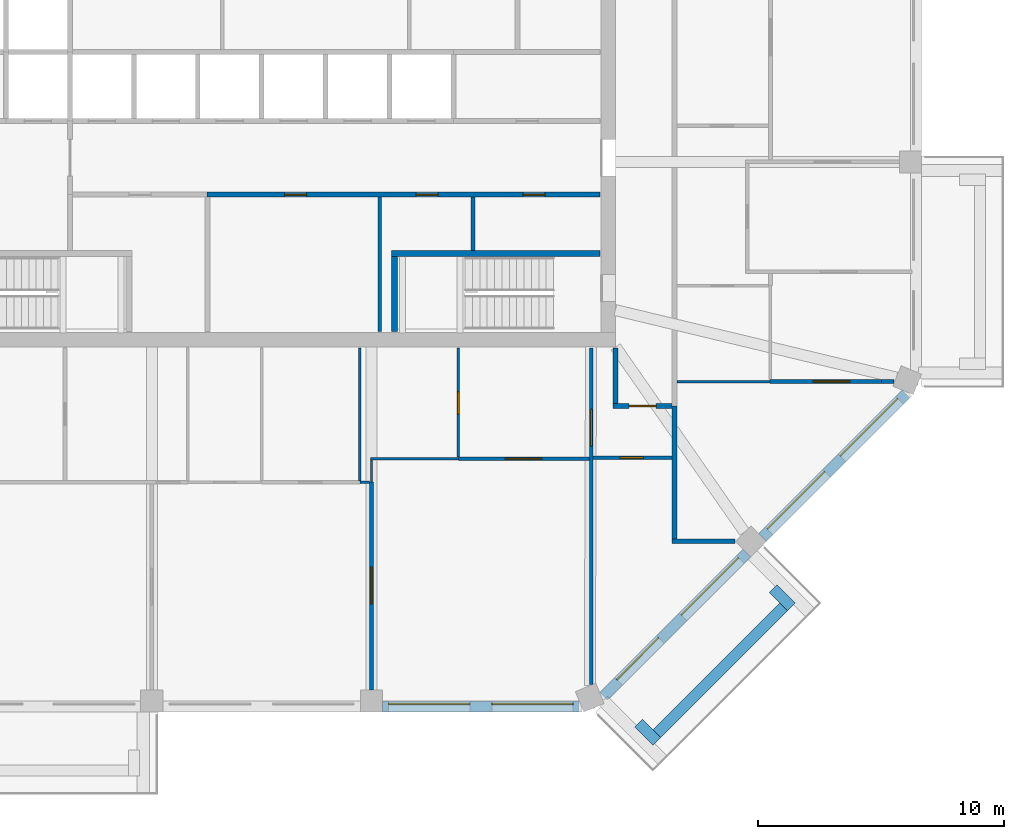
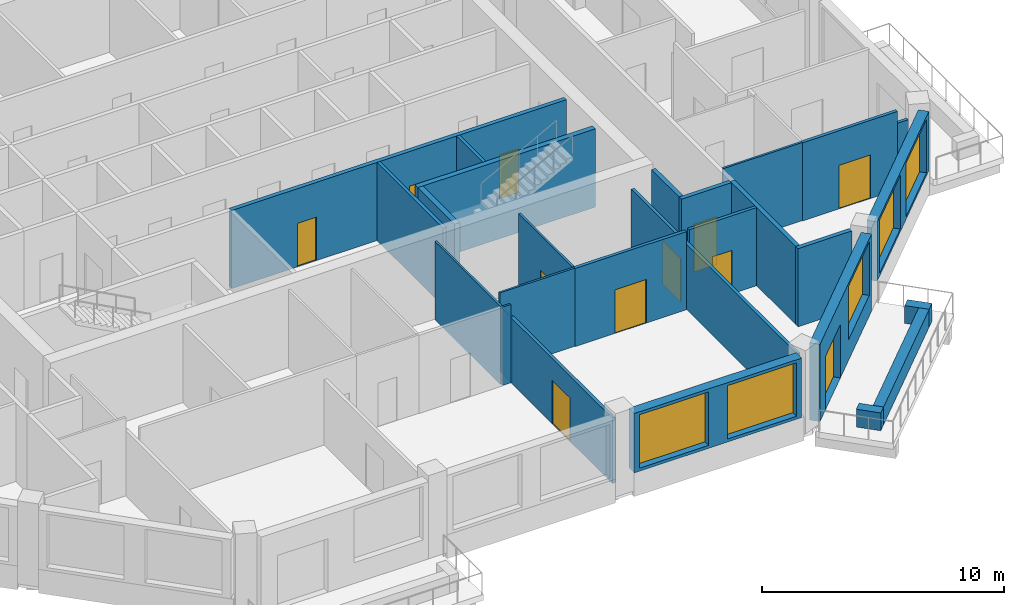
# One storey, part 5 of 11: 27 walls, 11 doors, 5 windows, 16 openings.
"""IFC4 building model written with IfcOpenShell, lengths in metres."""

from ifc_helpers import new_model, si_unit, direction, frame, frame_2d, origin, place, context, subcontext, project, spatial, rectangle, extrude, material, layer, layer_set, type_object, element, fill, save


model = new_model("IFC4")

# Units and contexts
model_context = context("Model", 3, precision=1e-05, world=origin(), true_north=direction((0.0, 1.0)))
body_context = subcontext(model_context, "Body", "Model", "MODEL_VIEW")
ifc_project = project(units=[si_unit("LENGTHUNIT", "METRE"), si_unit("AREAUNIT", "SQUARE_METRE"), si_unit("VOLUMEUNIT", "CUBIC_METRE"), si_unit("PLANEANGLEUNIT", "RADIAN"), si_unit("MASSUNIT", "GRAM", prefix="KILO")], contexts=[model_context])

# Site, building, storey
site_placement = place(None, origin())
site = spatial("IfcSite", under=ifc_project, at=site_placement, CompositionType="ELEMENT")
building_placement = place(site_placement, origin())
building = spatial("IfcBuilding", under=site, at=building_placement, Name="Msitu Wima Residences", CompositionType="ELEMENT")
storey_placement = place(building_placement, frame((0.0, 0.0, 297.89990234375)))
storey = spatial("IfcBuildingStorey", under=building, at=storey_placement, Name="L69", CompositionType="ELEMENT", Elevation=297.89990234375)

# Walls
ifc_material_1 = material(Name="Facing brick")
ifc_layer_1 = layer(ifc_material_1, 0.06494140625, Name="Facing brick")
ifc_material_2 = material(Name="Concrete C40/50", Category="concrete")
ifc_layer_2 = layer(ifc_material_2, 0.156005859375, Name="Concrete C40/50")
ifc_material_3 = material(Name="Waterproofing membrane")
ifc_layer_3 = layer(ifc_material_3, 0.00390625, Name="Waterproofing membrane")
ifc_material_4 = material(Name="Planting soil and planting")
ifc_layer_4 = layer(ifc_material_4, 0.22509765625, Name="Planting soil and planting")
ifc_layer_set_1 = layer_set([ifc_layer_1, ifc_layer_2, ifc_layer_3, ifc_layer_4], Name="Concrete C40/50")
wall_type_1 = type_object("IfcWallType", Name="Balcony planter PLANTER PL450", PredefinedType="USERDEFINED", material=ifc_layer_set_1)
wall_1_placement = place(storey_placement, frame((16.0751953125, -27.725830078125, 0.0), z_axis=(0.0, 0.0, 1.0), x_axis=(0.707106781187, 0.707106781187, 0.0)))
element("IfcWall", 1, at=wall_1_placement, inside=storey, type_object=wall_type_1, Name="Balcony planter SE0 L69", ObjectType="PLANTER", PredefinedType="USERDEFINED", context=body_context, shape_type="SweptSolid", body=[
    extrude(rectangle(XDim=7.288330078125, YDim=0.449951171875, at=frame_2d((3.64404296875, 0.0))), origin(), (0.0, 0.0, 1.0), 0.900146484375),
])
for number, where, z_axis, x_axis, name in (
    (2, (15.332763671875, -27.301513671875, 0.0), (0.0, 0.0, 1.0), (0.707106781187, -0.707106781187, 0.0), "Balcony planter SE0 L69"),
    (3, (20.804443359375, -21.829833984375, 0.0), (0.0, 0.0, 1.0), (0.707106781187, -0.707106781187, 0.0), "Balcony planter SE0 L69"),
):
    element("IfcWall", number, at=place(storey_placement, frame(where, z_axis=z_axis, x_axis=x_axis)), inside=storey, type_object=wall_type_1, Name=name, ObjectType="PLANTER", PredefinedType="USERDEFINED", context=body_context, shape_type="SweptSolid", body=[
        extrude(rectangle(XDim=1.050048828125, YDim=0.449951171875, at=frame_2d((0.52490234375, 0.0))), origin(), (0.0, 0.0, 1.0), 0.900146484375),
    ])

# Wall, openings, windows
ifc_material_5 = material(Name="Brick (red buff mix)", Category="masonry")
ifc_layer_5 = layer(ifc_material_5, 0.449951171875)
ifc_layer_set_2 = layer_set([ifc_layer_5], Name="Brick (red buff mix)")
wall_type_2 = type_object("IfcWallType", Name="Brick infill wall BW450", PredefinedType="SOLIDWALL", material=ifc_layer_set_2)
wall_2_placement = place(storey_placement, frame((4.918701171875, -26.625, 0.900146484375), z_axis=(0.0, 0.0, 1.0), x_axis=(1.0, 0.0, 0.0)))
wall_2 = element("IfcWall", 4, at=wall_2_placement, inside=storey, type_object=wall_type_2, Name="Brick infill wall L69 S2", PredefinedType="SOLIDWALL", context=body_context, shape_type="SweptSolid", body=[
    extrude(rectangle(XDim=8.0, YDim=0.449951171875, at=frame_2d((4.0, 0.0))), origin(), (0.0, 0.0, 1.0), 3.0),
])
opening_1_placement = place(wall_2_placement, frame((0.25, 0.0, 0.14990234375)))
opening_1 = element("IfcOpeningElement", 5, at=opening_1_placement, cuts=wall_2, Name="Opening W68-70.020", PredefinedType="OPENING", context=body_context, shape_type="SweptSolid", body=[
    extrude(rectangle(XDim=3.300048828125, YDim=2.699951171875, at=frame_2d((1.64990234375, 1.35009765625))), frame((0.0, 0.23486328125, 0.0), z_axis=(0.0, -1.0, 0.0), x_axis=(1.0, 0.0, 0.0)), (0.0, 0.0, 1.0), 0.469970703125),
])
opening_2_placement = place(wall_2_placement, frame((4.4501953125, 0.0, 0.14990234375)))
opening_2 = element("IfcOpeningElement", 6, at=opening_2_placement, cuts=wall_2, Name="Opening W68-70.021", PredefinedType="OPENING", context=body_context, shape_type="SweptSolid", body=[
    extrude(rectangle(XDim=3.300048828125, YDim=2.699951171875, at=frame_2d((1.64990234375, 1.35009765625))), frame((0.0, 0.23486328125, 0.0), z_axis=(0.0, -1.0, 0.0), x_axis=(1.0, 0.0, 0.0)), (0.0, 0.0, 1.0), 0.469970703125),
])
ifc_material_6 = material(Name="Anodised aluminium, bronze finish, clear low-emissivity double glazing", Category="aluminium")
window_type = type_object("IfcWindowType", Name="Window W3300x2700", PartitioningType="DOUBLE_PANEL_VERTICAL", PredefinedType="WINDOW", material=ifc_material_6)
window_1_placement = place(opening_1_placement, origin())
window_1 = element("IfcWindow", 7, at=window_1_placement, inside=storey, type_object=window_type, Name="Window L69 S2.1", OverallHeight=2.699951171875, OverallWidth=3.300048828125, PartitioningType="SINGLE_PANEL", PredefinedType="WINDOW", context=body_context, shape_type="SweptSolid", body=[
    extrude(rectangle(XDim=3.300048828125, YDim=2.699951171875, at=frame_2d((1.64990234375, 1.35009765625))), frame((0.0, 0.135009765625, 0.0), z_axis=(0.0, -1.0, 0.0), x_axis=(1.0, 0.0, 0.0)), (0.0, 0.0, 1.0), 0.06005859375),
])
fill(opening_1, window_1)
window_2_placement = place(opening_2_placement, origin())
window_2 = element("IfcWindow", 8, at=window_2_placement, inside=storey, type_object=window_type, Name="Window L69 S2.2", OverallHeight=2.699951171875, OverallWidth=3.300048828125, PartitioningType="SINGLE_PANEL", PredefinedType="WINDOW", context=body_context, shape_type="SweptSolid", body=[
    extrude(rectangle(XDim=3.300048828125, YDim=2.699951171875, at=frame_2d((1.64990234375, 1.35009765625))), frame((0.0, 0.135009765625, 0.0), z_axis=(0.0, -1.0, 0.0), x_axis=(1.0, 0.0, 0.0)), (0.0, 0.0, 1.0), 0.06005859375),
])
fill(opening_2, window_2)

# Wall, openings, door, window
wall_3_placement = place(storey_placement, frame((13.909423828125, -26.214599609375, 0.0), z_axis=(0.0, 0.0, 1.0), x_axis=(0.707106781187, 0.707106781187, 0.0)))
wall_3 = element("IfcWall", 9, at=wall_3_placement, inside=storey, type_object=wall_type_2, Name="Brick infill wall L69 SE0", PredefinedType="SOLIDWALL", context=body_context, shape_type="SweptSolid", body=[
    extrude(rectangle(XDim=8.251220703125, YDim=0.449951171875, at=frame_2d((4.12548828125, 0.0))), origin(), (0.0, 0.0, 1.0), 3.900146484375),
])
opening_3_placement = place(wall_3_placement, frame((0.86279296875, 0.0, 0.0)))
opening_3 = element("IfcOpeningElement", 10, at=opening_3_placement, cuts=wall_3, Name="Opening D68-70.006", PredefinedType="OPENING", context=body_context, shape_type="SweptSolid", body=[
    extrude(rectangle(XDim=2.39990234375, YDim=2.699951171875, at=frame_2d((1.199951171875, 1.35009765625))), frame((0.0, 0.23486328125, 0.0), z_axis=(0.0, -1.0, 0.0), x_axis=(1.0, 0.0, 0.0)), (0.0, 0.0, 1.0), 0.469970703125),
])
opening_4_placement = place(wall_3_placement, frame((4.57568359375, 0.0, 1.050048828125)))
opening_4 = element("IfcOpeningElement", 11, at=opening_4_placement, cuts=wall_3, Name="Opening W68-70.022", PredefinedType="OPENING", context=body_context, shape_type="SweptSolid", body=[
    extrude(rectangle(XDim=3.300048828125, YDim=2.699951171875, at=frame_2d((1.64990234375, 1.35009765625))), frame((0.0, 0.23486328125, 0.0), z_axis=(0.0, -1.0, 0.0), x_axis=(1.0, 0.0, 0.0)), (0.0, 0.0, 1.0), 0.469970703125),
])
door_type_1 = type_object("IfcDoorType", Name="Balcony door D2400x2700", OperationType="SLIDING_TO_LEFT", PredefinedType="DOOR", material=ifc_material_6)
door_1_placement = place(opening_3_placement, origin())
door_1 = element("IfcDoor", 12, at=door_1_placement, inside=storey, type_object=door_type_1, Name="Balcony door L69 SE0", OperationType="SINGLE_SWING_LEFT", OverallHeight=2.699951171875, OverallWidth=2.39990234375, PredefinedType="DOOR", context=body_context, shape_type="SweptSolid", body=[
    extrude(rectangle(XDim=2.39990234375, YDim=2.699951171875, at=frame_2d((1.199951171875, 1.35009765625))), frame((0.0, 0.1298828125, 0.0), z_axis=(0.0, -1.0, 0.0), x_axis=(1.0, 0.0, 0.0)), (0.0, 0.0, 1.0), 0.050048828125),
])
fill(opening_3, door_1)
window_3_placement = place(opening_4_placement, origin())
window_3 = element("IfcWindow", 13, at=window_3_placement, inside=storey, type_object=window_type, Name="Window L69 SE0.2", OverallHeight=2.699951171875, OverallWidth=3.300048828125, PartitioningType="SINGLE_PANEL", PredefinedType="WINDOW", context=body_context, shape_type="SweptSolid", body=[
    extrude(rectangle(XDim=3.300048828125, YDim=2.699951171875, at=frame_2d((1.64990234375, 1.35009765625))), frame((0.0, 0.135009765625, 0.0), z_axis=(0.0, -1.0, 0.0), x_axis=(1.0, 0.0, 0.0)), (0.0, 0.0, 1.0), 0.06005859375),
])
fill(opening_4, window_3)

# Wall, openings, windows
wall_4_placement = place(storey_placement, frame((20.380126953125, -19.743896484375, 0.900146484375), z_axis=(0.0, 0.0, 1.0), x_axis=(0.707106781187, 0.707106781187, 0.0)))
wall_4 = element("IfcWall", 14, at=wall_4_placement, inside=storey, type_object=wall_type_2, Name="Brick infill wall L69 SE1", PredefinedType="SOLIDWALL", context=body_context, shape_type="SweptSolid", body=[
    extrude(rectangle(XDim=8.251220703125, YDim=0.449951171875, at=frame_2d((4.12548828125, 0.0))), origin(), (0.0, 0.0, 1.0), 3.0),
])
opening_5_placement = place(wall_4_placement, frame((0.37548828125, 0.0, 0.14990234375)))
opening_5 = element("IfcOpeningElement", 15, at=opening_5_placement, cuts=wall_4, Name="Opening W68-70.023", PredefinedType="OPENING", context=body_context, shape_type="SweptSolid", body=[
    extrude(rectangle(XDim=3.300048828125, YDim=2.699951171875, at=frame_2d((1.64990234375, 1.35009765625))), frame((0.0, 0.23486328125, 0.0), z_axis=(0.0, -1.0, 0.0), x_axis=(1.0, 0.0, 0.0)), (0.0, 0.0, 1.0), 0.469970703125),
])
opening_6_placement = place(wall_4_placement, frame((4.57568359375, 0.0, 0.14990234375)))
opening_6 = element("IfcOpeningElement", 16, at=opening_6_placement, cuts=wall_4, Name="Opening W68-70.024", PredefinedType="OPENING", context=body_context, shape_type="SweptSolid", body=[
    extrude(rectangle(XDim=3.300048828125, YDim=2.699951171875, at=frame_2d((1.64990234375, 1.35009765625))), frame((0.0, 0.23486328125, 0.0), z_axis=(0.0, -1.0, 0.0), x_axis=(1.0, 0.0, 0.0)), (0.0, 0.0, 1.0), 0.469970703125),
])
window_4_placement = place(opening_5_placement, origin())
window_4 = element("IfcWindow", 17, at=window_4_placement, inside=storey, type_object=window_type, Name="Window L69 SE1.1", OverallHeight=2.699951171875, OverallWidth=3.300048828125, PartitioningType="SINGLE_PANEL", PredefinedType="WINDOW", context=body_context, shape_type="SweptSolid", body=[
    extrude(rectangle(XDim=3.300048828125, YDim=2.699951171875, at=frame_2d((1.64990234375, 1.35009765625))), frame((0.0, 0.135009765625, 0.0), z_axis=(0.0, -1.0, 0.0), x_axis=(1.0, 0.0, 0.0)), (0.0, 0.0, 1.0), 0.06005859375),
])
fill(opening_5, window_4)
window_5_placement = place(opening_6_placement, origin())
window_5 = element("IfcWindow", 18, at=window_5_placement, inside=storey, type_object=window_type, Name="Window L69 SE1.2", OverallHeight=2.699951171875, OverallWidth=3.300048828125, PartitioningType="SINGLE_PANEL", PredefinedType="WINDOW", context=body_context, shape_type="SweptSolid", body=[
    extrude(rectangle(XDim=3.300048828125, YDim=2.699951171875, at=frame_2d((1.64990234375, 1.35009765625))), frame((0.0, 0.135009765625, 0.0), z_axis=(0.0, -1.0, 0.0), x_axis=(1.0, 0.0, 0.0)), (0.0, 0.0, 1.0), 0.06005859375),
])
fill(opening_6, window_5)

# Wall, openings, doors
ifc_material_7 = material(Name="Plaster")
ifc_layer_6 = layer(ifc_material_7, 0.011962890625, Name="Plaster")
ifc_material_8 = material(Name="Concrete blockwork", Category="masonry")
ifc_layer_7 = layer(ifc_material_8, 0.176025390625, Name="Concrete blockwork")
ifc_layer_8 = layer(ifc_material_7, 0.011962890625, Name="Plaster")
ifc_layer_set_3 = layer_set([ifc_layer_6, ifc_layer_7, ifc_layer_8], Name="Concrete blockwork")
wall_type_3 = type_object("IfcWallType", Name="Corridor wall FW200", PredefinedType="PARTITIONING", material=ifc_layer_set_3)
wall_5_placement = place(storey_placement, frame((-2.219970703125, -5.800048828125, 0.0), z_axis=(0.0, 0.0, 1.0), x_axis=(1.0, 0.0, 0.0)))
wall_5 = element("IfcWall", 19, at=wall_5_placement, inside=storey, type_object=wall_type_3, Name="Corridor wall", PredefinedType="PARTITIONING", context=body_context, shape_type="SweptSolid", body=[
    extrude(rectangle(XDim=15.989990234375, YDim=0.199951171875, at=frame_2d((7.9951171875, 0.0))), origin(), (0.0, 0.0, 1.0), 3.9501953125),
])
opening_7_placement = place(wall_5_placement, frame((3.14990234375, 0.0, 0.0)))
opening_7 = element("IfcOpeningElement", 20, at=opening_7_placement, cuts=wall_5, Name="Opening D68-70.068", PredefinedType="OPENING", context=body_context, shape_type="SweptSolid", body=[
    extrude(rectangle(XDim=0.89990234375, YDim=2.199951171875, at=frame_2d((0.449951171875, 1.10009765625))), frame((0.0, 0.10986328125, 0.0), z_axis=(0.0, -1.0, 0.0), x_axis=(1.0, 0.0, 0.0)), (0.0, 0.0, 1.0), 0.219970703125),
])
opening_8_placement = place(wall_5_placement, frame((8.5, 0.0, 0.0)))
opening_8 = element("IfcOpeningElement", 21, at=opening_8_placement, cuts=wall_5, Name="Opening D68-70.069", PredefinedType="OPENING", context=body_context, shape_type="SweptSolid", body=[
    extrude(rectangle(XDim=0.89990234375, YDim=2.199951171875, at=frame_2d((0.449951171875, 1.10009765625))), frame((0.0, 0.10986328125, 0.0), z_axis=(0.0, -1.0, 0.0), x_axis=(1.0, 0.0, 0.0)), (0.0, 0.0, 1.0), 0.219970703125),
])
opening_9_placement = place(wall_5_placement, frame((12.85009765625, 0.0, 0.0)))
opening_9 = element("IfcOpeningElement", 22, at=opening_9_placement, cuts=wall_5, Name="Opening D68-70.070", PredefinedType="OPENING", context=body_context, shape_type="SweptSolid", body=[
    extrude(rectangle(XDim=0.89990234375, YDim=2.199951171875, at=frame_2d((0.449951171875, 1.10009765625))), frame((0.0, 0.10986328125, 0.0), z_axis=(0.0, -1.0, 0.0), x_axis=(1.0, 0.0, 0.0)), (0.0, 0.0, 1.0), 0.219970703125),
])
ifc_material_9 = material(Name="Timber flush door", Category="wood")
door_type_2 = type_object("IfcDoorType", Name="Service door D05 900x2200", OperationType="SINGLE_SWING_LEFT", PredefinedType="DOOR", material=ifc_material_9)
door_2_placement = place(opening_7_placement, origin())
door_2 = element("IfcDoor", 23, at=door_2_placement, inside=storey, type_object=door_type_2, Name="Service door", OperationType="SINGLE_SWING_LEFT", OverallHeight=2.199951171875, OverallWidth=0.89990234375, PredefinedType="DOOR", context=body_context, shape_type="SweptSolid", body=[
    extrude(rectangle(XDim=0.89990234375, YDim=2.199951171875, at=frame_2d((0.449951171875, 1.10009765625))), frame((0.0, 0.02490234375, 0.0), z_axis=(0.0, -1.0, 0.0), x_axis=(1.0, 0.0, 0.0)), (0.0, 0.0, 1.0), 0.050048828125),
])
fill(opening_7, door_2)
door_3_placement = place(opening_8_placement, origin())
door_3 = element("IfcDoor", 24, at=door_3_placement, inside=storey, type_object=door_type_2, Name="Service door", OperationType="SINGLE_SWING_LEFT", OverallHeight=2.199951171875, OverallWidth=0.89990234375, PredefinedType="DOOR", context=body_context, shape_type="SweptSolid", body=[
    extrude(rectangle(XDim=0.89990234375, YDim=2.199951171875, at=frame_2d((0.449951171875, 1.10009765625))), frame((0.0, 0.02490234375, 0.0), z_axis=(0.0, -1.0, 0.0), x_axis=(1.0, 0.0, 0.0)), (0.0, 0.0, 1.0), 0.050048828125),
])
fill(opening_8, door_3)
door_4_placement = place(opening_9_placement, origin())
door_4 = element("IfcDoor", 25, at=door_4_placement, inside=storey, type_object=door_type_2, Name="Service door", OperationType="SINGLE_SWING_RIGHT", OverallHeight=2.199951171875, OverallWidth=0.89990234375, PredefinedType="DOOR", context=body_context, shape_type="SweptSolid", body=[
    extrude(rectangle(XDim=0.89990234375, YDim=2.199951171875, at=frame_2d((0.449951171875, 1.10009765625))), frame((0.0, 0.02490234375, 0.0), z_axis=(0.0, -1.0, 0.0), x_axis=(1.0, 0.0, 0.0)), (0.0, 0.0, 1.0), 0.050048828125),
])
fill(opening_9, door_4)

# Wall
wall_6_placement = place(storey_placement, frame((14.39990234375, -14.300048828125, 0.0), z_axis=(0.0, 0.0, 1.0), x_axis=(0.0, 1.0, 0.0)))
element("IfcWall", 26, at=wall_6_placement, inside=storey, type_object=wall_type_3, Name="Corridor wall", PredefinedType="PARTITIONING", context=body_context, shape_type="SweptSolid", body=[
    extrude(rectangle(XDim=2.27001953125, YDim=0.199951171875, at=frame_2d((1.135009765625, 0.0))), origin(), (0.0, 0.0, 1.0), 3.9501953125),
])

# Wall, opening, door
wall_7_placement = place(storey_placement, frame((14.300048828125, -14.39990234375, 0.0), z_axis=(0.0, 0.0, 1.0), x_axis=(1.0, 0.0, 0.0)))
wall_7 = element("IfcWall", 27, at=wall_7_placement, inside=storey, type_object=wall_type_3, Name="Corridor wall", PredefinedType="PARTITIONING", context=body_context, shape_type="SweptSolid", body=[
    extrude(rectangle(XDim=2.39990234375, YDim=0.199951171875, at=frame_2d((1.199951171875, 0.0))), origin(), (0.0, 0.0, 1.0), 3.9501953125),
])
opening_10_placement = place(wall_7_placement, frame((0.64990234375, 0.0, 0.0)))
opening_10 = element("IfcOpeningElement", 28, at=opening_10_placement, cuts=wall_7, Name="Opening D68-70.044", PredefinedType="OPENING", context=body_context, shape_type="SweptSolid", body=[
    extrude(rectangle(XDim=1.10009765625, YDim=2.39990234375, at=frame_2d((0.550048828125, 1.199951171875))), frame((0.0, 0.10986328125, 0.0), z_axis=(0.0, -1.0, 0.0), x_axis=(1.0, 0.0, 0.0)), (0.0, 0.0, 1.0), 0.219970703125),
])
ifc_material_10 = material(Name="Timber flush door, fire resisting, self-closing", Category="wood")
door_type_3 = type_object("IfcDoorType", Name="Flat entrance door D01 1100x2400", OperationType="SINGLE_SWING_LEFT", PredefinedType="DOOR", material=ifc_material_10)
door_5_placement = place(opening_10_placement, origin())
door_5 = element("IfcDoor", 29, at=door_5_placement, inside=storey, type_object=door_type_3, Name="Flat entrance door", OperationType="SINGLE_SWING_LEFT", OverallHeight=2.39990234375, OverallWidth=1.10009765625, PredefinedType="DOOR", context=body_context, shape_type="SweptSolid", body=[
    extrude(rectangle(XDim=1.10009765625, YDim=2.39990234375, at=frame_2d((0.550048828125, 1.199951171875))), frame((0.0, 0.02490234375, 0.0), z_axis=(0.0, -1.0, 0.0), x_axis=(1.0, 0.0, 0.0)), (0.0, 0.0, 1.0), 0.050048828125),
])
fill(opening_10, door_5)

ifc_layer_9 = layer(ifc_material_7, 0.011962890625, Name="Plaster")
ifc_layer_10 = layer(ifc_material_8, 0.1259765625, Name="Concrete blockwork")
ifc_layer_11 = layer(ifc_material_7, 0.011962890625, Name="Plaster")
ifc_layer_set_4 = layer_set([ifc_layer_9, ifc_layer_10, ifc_layer_11], Name="Concrete blockwork")
wall_type_4 = type_object("IfcWallType", Name="Partition PW150", PredefinedType="PARTITIONING", material=ifc_layer_set_4)
wall_8_placement = place(storey_placement, frame((4.46875, -25.949951171875, 0.0), z_axis=(0.0, 0.0, 1.0), x_axis=(0.0, 1.0, 0.0)))
wall_8 = element("IfcWall", 30, at=wall_8_placement, inside=storey, type_object=wall_type_4, Name="Partition", PredefinedType="PARTITIONING", context=body_context, shape_type="SweptSolid", body=[
    extrude(rectangle(XDim=8.449951171875, YDim=0.14990234375, at=frame_2d((4.22509765625, 0.0))), origin(), (0.0, 0.0, 1.0), 3.300048828125),
])
opening_11_placement = place(wall_8_placement, frame((3.5, 0.0, 0.0)))
opening_11 = element("IfcOpeningElement", 31, at=opening_11_placement, cuts=wall_8, Name="Opening D68-70.052", PredefinedType="OPENING", context=body_context, shape_type="SweptSolid", body=[
    extrude(rectangle(XDim=1.5, YDim=2.199951171875, at=frame_2d((0.75, 1.10009765625))), frame((0.0, 0.0849609375, 0.0), z_axis=(0.0, -1.0, 0.0), x_axis=(1.0, 0.0, 0.0)), (0.0, 0.0, 1.0), 0.169921875),
])
ifc_material_11 = material(Name="Timber double door", Category="wood")
door_type_4 = type_object("IfcDoorType", Name="Double door D04 1500x2200", OperationType="DOUBLE_DOOR_SINGLE_SWING", PredefinedType="DOOR", material=ifc_material_11)
door_6_placement = place(opening_11_placement, origin())
door_6 = element("IfcDoor", 32, at=door_6_placement, inside=storey, type_object=door_type_4, Name="Double door", OperationType="DOUBLE_DOOR_SINGLE_SWING", OverallHeight=2.199951171875, OverallWidth=1.5, PredefinedType="DOOR", context=body_context, shape_type="SweptSolid", body=[
    extrude(rectangle(XDim=1.5, YDim=2.199951171875, at=frame_2d((0.75, 1.10009765625))), frame((0.0, 0.02490234375, 0.0), z_axis=(0.0, -1.0, 0.0), x_axis=(1.0, 0.0, 0.0)), (0.0, 0.0, 1.0), 0.050048828125),
])
fill(opening_11, door_6)

# Wall
wall_9_placement = place(storey_placement, frame((4.800048828125, -11.3701171875, 0.0), z_axis=(0.0, 0.0, 1.0), x_axis=(0.0, 1.0, 0.0)))
element("IfcWall", 33, at=wall_9_placement, inside=storey, type_object=wall_type_4, Name="Partition", PredefinedType="PARTITIONING", context=body_context, shape_type="SweptSolid", body=[
    extrude(rectangle(XDim=5.47021484375, YDim=0.14990234375, at=frame_2d((2.735107421875, 0.0))), origin(), (0.0, 0.0, 1.0), 3.9501953125),
])

# Wall, opening, door
wall_10_placement = place(storey_placement, frame((8.0, -16.550048828125, 0.0), z_axis=(0.0, 0.0, 1.0), x_axis=(1.0, 0.0, 0.0)))
wall_10 = element("IfcWall", 34, at=wall_10_placement, inside=storey, type_object=wall_type_4, Name="Partition", PredefinedType="PARTITIONING", context=body_context, shape_type="SweptSolid", body=[
    extrude(rectangle(XDim=5.330810546875, YDim=0.14990234375, at=frame_2d((2.66552734375, 0.0))), origin(), (0.0, 0.0, 1.0), 3.9501953125),
])
opening_12_placement = place(wall_10_placement, frame((1.89990234375, 0.0, 0.0)))
opening_12 = element("IfcOpeningElement", 35, at=opening_12_placement, cuts=wall_10, Name="Opening D68-70.049", PredefinedType="OPENING", context=body_context, shape_type="SweptSolid", body=[
    extrude(rectangle(XDim=1.5, YDim=2.199951171875, at=frame_2d((0.75, 1.10009765625))), frame((0.0, 0.0849609375, 0.0), z_axis=(0.0, -1.0, 0.0), x_axis=(1.0, 0.0, 0.0)), (0.0, 0.0, 1.0), 0.169921875),
])
door_7_placement = place(opening_12_placement, origin())
door_7 = element("IfcDoor", 36, at=door_7_placement, inside=storey, type_object=door_type_4, Name="Double door", OperationType="DOUBLE_DOOR_SINGLE_SWING", OverallHeight=2.199951171875, OverallWidth=1.5, PredefinedType="DOOR", context=body_context, shape_type="SweptSolid", body=[
    extrude(rectangle(XDim=1.5, YDim=2.199951171875, at=frame_2d((0.75, 1.10009765625))), frame((0.0, 0.02490234375, 0.0), z_axis=(0.0, -1.0, 0.0), x_axis=(1.0, 0.0, 0.0)), (0.0, 0.0, 1.0), 0.050048828125),
])
fill(opening_12, door_7)

# Wall
wall_11_placement = place(storey_placement, frame((8.60009765625, -8.074951171875, 0.0), z_axis=(0.0, 0.0, 1.0), x_axis=(0.0, 1.0, 0.0)))
element("IfcWall", 37, at=wall_11_placement, inside=storey, type_object=wall_type_4, Name="Partition", PredefinedType="PARTITIONING", context=body_context, shape_type="SweptSolid", body=[
    extrude(rectangle(XDim=2.175048828125, YDim=0.14990234375, at=frame_2d((1.08740234375, 0.0))), origin(), (0.0, 0.0, 1.0), 3.9501953125),
])

# Wall, opening, door
wall_12_placement = place(storey_placement, frame((13.406005859375, -25.731201171875, 0.0), z_axis=(0.0, 0.0, 1.0), x_axis=(0.0, 1.0, 0.0)))
wall_12 = element("IfcWall", 38, at=wall_12_placement, inside=storey, type_object=wall_type_4, Name="Partition", PredefinedType="PARTITIONING", context=body_context, shape_type="SweptSolid", body=[
    extrude(rectangle(XDim=13.701171875, YDim=0.14990234375, at=frame_2d((6.8505859375, 0.0))), origin(), (0.0, 0.0, 1.0), 3.300048828125),
])
opening_13_placement = place(wall_12_placement, frame((9.699951171875, 0.0, 0.0)))
opening_13 = element("IfcOpeningElement", 39, at=opening_13_placement, cuts=wall_12, Name="Opening D68-70.045", PredefinedType="OPENING", context=body_context, shape_type="SweptSolid", body=[
    extrude(rectangle(XDim=1.5, YDim=2.199951171875, at=frame_2d((0.75, 1.10009765625))), frame((0.0, 0.0849609375, 0.0), z_axis=(0.0, -1.0, 0.0), x_axis=(1.0, 0.0, 0.0)), (0.0, 0.0, 1.0), 0.169921875),
])
door_8_placement = place(opening_13_placement, origin())
door_8 = element("IfcDoor", 40, at=door_8_placement, inside=storey, type_object=door_type_4, Name="Double door", OperationType="DOUBLE_DOOR_SINGLE_SWING", OverallHeight=2.199951171875, OverallWidth=1.5, PredefinedType="DOOR", context=body_context, shape_type="SweptSolid", body=[
    extrude(rectangle(XDim=1.5, YDim=2.199951171875, at=frame_2d((0.75, 1.10009765625))), frame((0.0, 0.02490234375, 0.0), z_axis=(0.0, -1.0, 0.0), x_axis=(1.0, 0.0, 0.0)), (0.0, 0.0, 1.0), 0.050048828125),
])
fill(opening_13, door_8)

wall_13_placement = place(storey_placement, frame((13.48095703125, -16.5, 0.0), z_axis=(0.0, 0.0, 1.0), x_axis=(1.0, 0.0, 0.0)))
wall_13 = element("IfcWall", 41, at=wall_13_placement, inside=storey, type_object=wall_type_4, Name="Partition", PredefinedType="PARTITIONING", context=body_context, shape_type="SweptSolid", body=[
    extrude(rectangle(XDim=3.218994140625, YDim=0.14990234375, at=frame_2d((1.609375, 0.0))), origin(), (0.0, 0.0, 1.0), 3.9501953125),
])
opening_14_placement = place(wall_13_placement, frame((1.10009765625, 0.0, 0.0)))
opening_14 = element("IfcOpeningElement", 42, at=opening_14_placement, cuts=wall_13, Name="Opening D68-70.050", PredefinedType="OPENING", context=body_context, shape_type="SweptSolid", body=[
    extrude(rectangle(XDim=0.949951171875, YDim=2.199951171875, at=frame_2d((0.47509765625, 1.10009765625))), frame((0.0, 0.0849609375, 0.0), z_axis=(0.0, -1.0, 0.0), x_axis=(1.0, 0.0, 0.0)), (0.0, 0.0, 1.0), 0.169921875),
])
door_type_5 = type_object("IfcDoorType", Name="Room door D12 950x2200", OperationType="SINGLE_SWING_LEFT", PredefinedType="DOOR", material=ifc_material_9)
door_9_placement = place(opening_14_placement, origin())
door_9 = element("IfcDoor", 43, at=door_9_placement, inside=storey, type_object=door_type_5, Name="Room door", OperationType="SINGLE_SWING_RIGHT", OverallHeight=2.199951171875, OverallWidth=0.949951171875, PredefinedType="DOOR", context=body_context, shape_type="SweptSolid", body=[
    extrude(rectangle(XDim=0.949951171875, YDim=2.199951171875, at=frame_2d((0.47509765625, 1.10009765625))), frame((0.0, 0.02490234375, 0.0), z_axis=(0.0, -1.0, 0.0), x_axis=(1.0, 0.0, 0.0)), (0.0, 0.0, 1.0), 0.050048828125),
])
fill(opening_14, door_9)

wall_14_placement = place(storey_placement, frame((20.679931640625, -13.406005859375, 0.0), z_axis=(0.0, 0.0, 1.0), x_axis=(1.0, 0.0, 0.0)))
wall_14 = element("IfcWall", 44, at=wall_14_placement, inside=storey, type_object=wall_type_4, Name="Partition", PredefinedType="PARTITIONING", context=body_context, shape_type="SweptSolid", body=[
    extrude(rectangle(XDim=4.544189453125, YDim=0.14990234375, at=frame_2d((2.27197265625, 0.0))), origin(), (0.0, 0.0, 1.0), 3.9501953125),
])
opening_15_placement = place(wall_14_placement, frame((1.75, 0.0, 0.0)))
opening_15 = element("IfcOpeningElement", 45, at=opening_15_placement, cuts=wall_14, Name="Opening D68-70.011", PredefinedType="OPENING", context=body_context, shape_type="SweptSolid", body=[
    extrude(rectangle(XDim=1.5, YDim=2.199951171875, at=frame_2d((0.75, 1.10009765625))), frame((0.0, 0.0849609375, 0.0), z_axis=(0.0, -1.0, 0.0), x_axis=(1.0, 0.0, 0.0)), (0.0, 0.0, 1.0), 0.169921875),
])
door_10_placement = place(opening_15_placement, origin())
door_10 = element("IfcDoor", 46, at=door_10_placement, inside=storey, type_object=door_type_4, Name="Double door", OperationType="DOUBLE_DOOR_SINGLE_SWING", OverallHeight=2.199951171875, OverallWidth=1.5, PredefinedType="DOOR", context=body_context, shape_type="SweptSolid", body=[
    extrude(rectangle(XDim=1.5, YDim=2.199951171875, at=frame_2d((0.75, 1.10009765625))), frame((0.0, 0.02490234375, 0.0), z_axis=(0.0, -1.0, 0.0), x_axis=(1.0, 0.0, 0.0)), (0.0, 0.0, 1.0), 0.050048828125),
])
fill(opening_15, door_10)

# Walls
wall_15_placement = place(storey_placement, frame((25.22412109375, -13.406005859375, 0.0), z_axis=(0.0, 0.0, 1.0), x_axis=(1.0, 0.0, 0.0)))
element("IfcWall", 47, at=wall_15_placement, inside=storey, type_object=wall_type_4, Name="Partition", PredefinedType="PARTITIONING", context=body_context, shape_type="SweptSolid", body=[
    extrude(rectangle(XDim=0.507080078125, YDim=0.14990234375, at=frame_2d((0.25341796875, 0.0))), origin(), (0.0, 0.0, 1.0), 3.35009765625),
])
ifc_layer_12 = layer(ifc_material_7, 0.011962890625, Name="Plaster")
ifc_material_12 = material(Name="Dense concrete blockwork", Category="masonry")
ifc_layer_13 = layer(ifc_material_12, 0.176025390625, Name="Dense concrete blockwork")
ifc_layer_14 = layer(ifc_material_7, 0.011962890625, Name="Plaster")
ifc_layer_set_5 = layer_set([ifc_layer_12, ifc_layer_13, ifc_layer_14], Name="Dense concrete blockwork")
wall_type_5 = type_object("IfcWallType", Name="Party wall PW200", PredefinedType="PARTITIONING", material=ifc_layer_set_5)
wall_16_placement = place(storey_placement, frame((16.800048828125, -19.802978515625, 0.0), z_axis=(0.0, 0.0, 1.0), x_axis=(0.0, 1.0, 0.0)))
element("IfcWall", 48, at=wall_16_placement, inside=storey, type_object=wall_type_5, Name="Party wall", PredefinedType="PARTITIONING", context=body_context, shape_type="SweptSolid", body=[
    extrude(rectangle(XDim=5.403076171875, YDim=0.199951171875, at=frame_2d((2.70166015625, 0.0))), origin(), (0.0, 0.0, 1.0), 3.9501953125),
])
wall_17_placement = place(storey_placement, frame((16.699951171875, -19.90283203125, 0.0), z_axis=(0.0, 0.0, 1.0), x_axis=(1.0, 0.0, 0.0)))
element("IfcWall", 49, at=wall_17_placement, inside=storey, type_object=wall_type_5, Name="Party wall", PredefinedType="PARTITIONING", context=body_context, shape_type="SweptSolid", body=[
    extrude(rectangle(XDim=2.566650390625, YDim=0.199951171875, at=frame_2d((1.283203125, 0.0))), origin(), (0.0, 0.0, 1.0), 3.9501953125),
])
ifc_material_13 = material(Name="Concrete C50/60", Category="concrete")
ifc_layer_15 = layer(ifc_material_13, 0.25)
ifc_layer_set_6 = layer_set([ifc_layer_15], Name="Concrete C50/60")
wall_type_6 = type_object("IfcWallType", Name="Stair enclosure wall SW250", PredefinedType="SHEAR", material=ifc_layer_set_6)
wall_18_placement = place(storey_placement, frame((5.39990234375, -11.3701171875, 0.0), z_axis=(0.0, 0.0, 1.0), x_axis=(0.0, 1.0, 0.0)))
element("IfcWall", 50, at=wall_18_placement, inside=storey, type_object=wall_type_6, Name="Stair enclosure wall", PredefinedType="SHEAR", context=body_context, shape_type="SweptSolid", body=[
    extrude(rectangle(XDim=3.045166015625, YDim=0.25, at=frame_2d((1.5224609375, 0.0))), origin(), (0.0, 0.0, 1.0), 3.9501953125),
])
wall_19_placement = place(storey_placement, frame((5.27490234375, -8.199951171875, 0.0), z_axis=(0.0, 0.0, 1.0), x_axis=(1.0, 0.0, 0.0)))
element("IfcWall", 51, at=wall_19_placement, inside=storey, type_object=wall_type_6, Name="Stair enclosure wall", PredefinedType="SHEAR", context=body_context, shape_type="SweptSolid", body=[
    extrude(rectangle(XDim=8.4951171875, YDim=0.25, at=frame_2d((4.24755859375, 0.0))), origin(), (0.0, 0.0, 1.0), 3.9501953125),
])
ifc_material_14 = material(Name="Ceramic tiles")
ifc_layer_16 = layer(ifc_material_14, 0.008056640625, Name="Ceramic tiles")
ifc_material_15 = material(Name="Moisture-resistant board")
ifc_layer_17 = layer(ifc_material_15, 0.012451171875, Name="Moisture-resistant board")
ifc_material_16 = material(Name="Light-gauge stud framing with mineral wool")
ifc_layer_18 = layer(ifc_material_16, 0.06689453125, Name="Light-gauge stud framing with mineral wool")
ifc_layer_19 = layer(ifc_material_15, 0.012451171875, Name="Moisture-resistant board")
ifc_layer_set_7 = layer_set([ifc_layer_16, ifc_layer_17, ifc_layer_18, ifc_layer_19], Name="Light-gauge stud framing with mineral wool")
wall_type_7 = type_object("IfcWallType", Name="Wet wall PW100", PredefinedType="PARTITIONING", material=ifc_layer_set_7)
wall_20_placement = place(storey_placement, frame((4.0, -17.5, 0.0), z_axis=(0.0, 0.0, 1.0), x_axis=(1.0, 0.0, 0.0)))
element("IfcWall", 52, at=wall_20_placement, inside=storey, type_object=wall_type_7, Name="Wet wall", PredefinedType="PARTITIONING", context=body_context, shape_type="SweptSolid", body=[
    extrude(rectangle(XDim=0.3935546875, YDim=0.10009765625, at=frame_2d((0.19677734375, 0.0))), origin(), (0.0, 0.0, 1.0), 3.9501953125),
])
wall_21_placement = place(storey_placement, frame((4.0, -17.449951171875, 0.0), z_axis=(0.0, 0.0, 1.0), x_axis=(0.0, 1.0, 0.0)))
element("IfcWall", 53, at=wall_21_placement, inside=storey, type_object=wall_type_7, Name="Wet wall", PredefinedType="PARTITIONING", context=body_context, shape_type="SweptSolid", body=[
    extrude(rectangle(XDim=5.419921875, YDim=0.10009765625, at=frame_2d((2.7099609375, 0.0))), origin(), (0.0, 0.0, 1.0), 3.9501953125),
])
wall_22_placement = place(storey_placement, frame((4.46875, -17.5, 0.0), z_axis=(0.0, 0.0, 1.0), x_axis=(0.0, 1.0, 0.0)))
element("IfcWall", 54, at=wall_22_placement, inside=storey, type_object=wall_type_7, Name="Wet wall", PredefinedType="PARTITIONING", context=body_context, shape_type="SweptSolid", body=[
    extrude(rectangle(XDim=0.89990234375, YDim=0.10009765625, at=frame_2d((0.449951171875, 0.0))), origin(), (0.0, 0.0, 1.0), 3.300048828125),
])
wall_23_placement = place(storey_placement, frame((4.418701171875, -16.550048828125, 0.0), z_axis=(0.0, 0.0, 1.0), x_axis=(1.0, 0.0, 0.0)))
element("IfcWall", 55, at=wall_23_placement, inside=storey, type_object=wall_type_7, Name="Wet wall", PredefinedType="PARTITIONING", context=body_context, shape_type="SweptSolid", body=[
    extrude(rectangle(XDim=3.581298828125, YDim=0.10009765625, at=frame_2d((1.79052734375, 0.0))), origin(), (0.0, 0.0, 1.0), 3.9501953125),
])

# Wall, opening, door
wall_24_placement = place(storey_placement, frame((8.0, -16.47509765625, 0.0), z_axis=(0.0, 0.0, 1.0), x_axis=(0.0, 1.0, 0.0)))
wall_24 = element("IfcWall", 56, at=wall_24_placement, inside=storey, type_object=wall_type_7, Name="Wet wall", PredefinedType="PARTITIONING", context=body_context, shape_type="SweptSolid", body=[
    extrude(rectangle(XDim=4.445068359375, YDim=0.10009765625, at=frame_2d((2.22265625, 0.0))), origin(), (0.0, 0.0, 1.0), 3.9501953125),
])
opening_16_placement = place(wall_24_placement, frame((1.75, 0.0, 0.0)))
opening_16 = element("IfcOpeningElement", 57, at=opening_16_placement, cuts=wall_24, Name="Opening D68-70.051", PredefinedType="OPENING", context=body_context, shape_type="SweptSolid", body=[
    extrude(rectangle(XDim=0.89990234375, YDim=2.199951171875, at=frame_2d((0.449951171875, 1.10009765625))), frame((0.0, 0.06005859375, 0.0), z_axis=(0.0, -1.0, 0.0), x_axis=(1.0, 0.0, 0.0)), (0.0, 0.0, 1.0), 0.1201171875),
])
ifc_material_17 = material(Name="Timber flush door, moisture resistant", Category="wood")
door_type_6 = type_object("IfcDoorType", Name="Bathroom door D03 900x2200", OperationType="SINGLE_SWING_LEFT", PredefinedType="DOOR", material=ifc_material_17)
door_11_placement = place(opening_16_placement, origin())
door_11 = element("IfcDoor", 58, at=door_11_placement, inside=storey, type_object=door_type_6, Name="Bathroom door", OperationType="SINGLE_SWING_LEFT", OverallHeight=2.199951171875, OverallWidth=0.89990234375, PredefinedType="DOOR", context=body_context, shape_type="SweptSolid", body=[
    extrude(rectangle(XDim=0.89990234375, YDim=2.199951171875, at=frame_2d((0.449951171875, 1.10009765625))), frame((0.0, 0.02490234375, 0.0), z_axis=(0.0, -1.0, 0.0), x_axis=(1.0, 0.0, 0.0)), (0.0, 0.0, 1.0), 0.050048828125),
])
fill(opening_16, door_11)

# Wall
wall_25_placement = place(storey_placement, frame((16.89990234375, -13.406005859375, 0.0), z_axis=(0.0, 0.0, 1.0), x_axis=(1.0, 0.0, 0.0)))
element("IfcWall", 59, at=wall_25_placement, inside=storey, type_object=wall_type_7, Name="Wet wall", PredefinedType="PARTITIONING", context=body_context, shape_type="SweptSolid", body=[
    extrude(rectangle(XDim=3.780029296875, YDim=0.10009765625, at=frame_2d((1.89013671875, 0.0))), origin(), (0.0, 0.0, 1.0), 3.9501953125),
])

save(model, "model.ifc")
